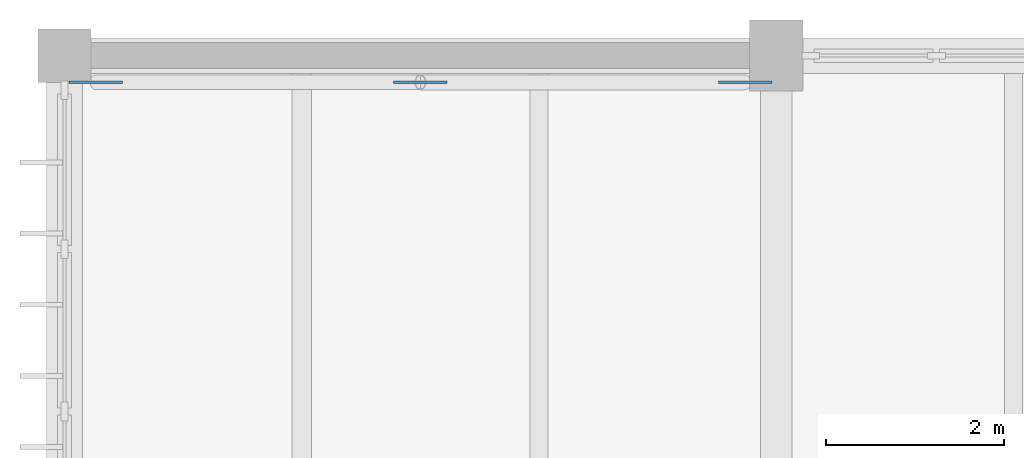
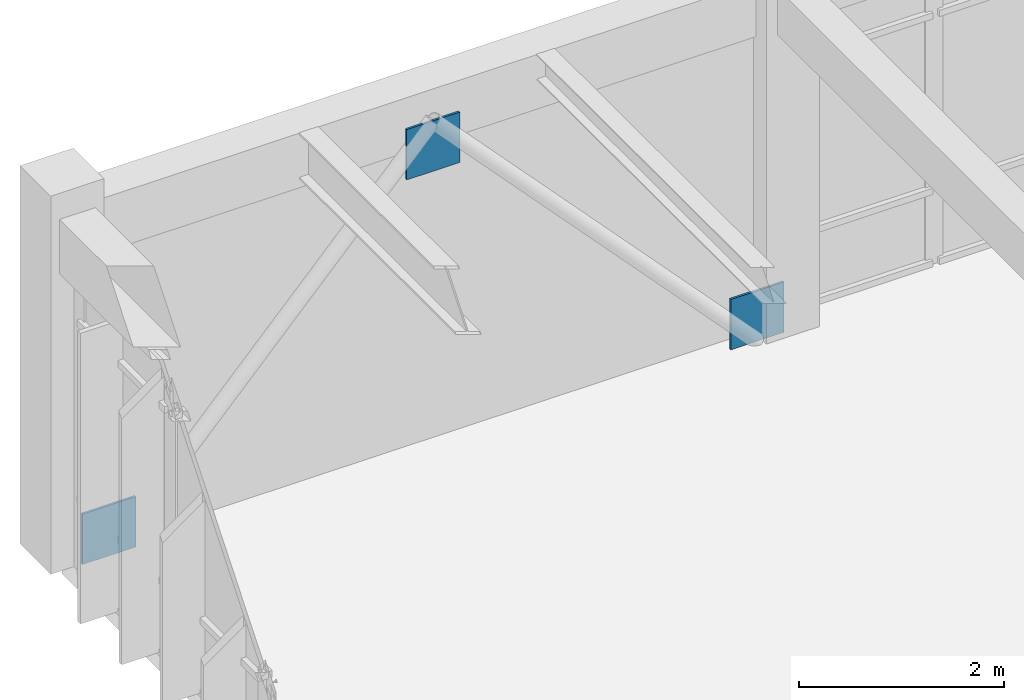
# One storey, part 46 of 72: 3 plates.
"""IFC4 building model written with IfcOpenShell, lengths in metres."""

from ifc_helpers import new_model, si_unit, direction, frame, origin, origin_2d, place, context, subcontext, project, spatial, rectangle, extrude, material, layer, layer_set, type_object, element, save


model = new_model("IFC4")

# Units and contexts
model_context = context("Model", 3, precision=1e-05, world=origin(), true_north=direction((0.0, 1.0)))
body_context = subcontext(model_context, "Body", "Model", "MODEL_VIEW")
ifc_project = project(units=[si_unit("LENGTHUNIT", "METRE"), si_unit("AREAUNIT", "SQUARE_METRE"), si_unit("VOLUMEUNIT", "CUBIC_METRE"), si_unit("PLANEANGLEUNIT", "RADIAN"), si_unit("MASSUNIT", "GRAM", prefix="KILO")], contexts=[model_context])

# Site, building, storey
site_placement = place(None, origin())
site = spatial("IfcSite", under=ifc_project, at=site_placement, CompositionType="ELEMENT")
building_placement = place(site_placement, origin())
building = spatial("IfcBuilding", under=site, at=building_placement, Name="Tlaxcora Railside Police Headquarters", CompositionType="ELEMENT")
storey_placement = place(building_placement, frame((0.0, 0.0, 13.5)))
storey = spatial("IfcBuildingStorey", under=building, at=storey_placement, Name="L03", CompositionType="ELEMENT", Elevation=13.5)

# Plates
ifc_material = material(Name="Steel ASTM A992 Grade 50", Category="steel")
ifc_layer = layer(ifc_material, 0.02490234375, Name="Steel ASTM A992 Grade 50")
ifc_layer_set = layer_set([ifc_layer], Name="Steel ASTM A992 Grade 50")
plate_type = type_object("IfcPlateType", Name="Structural Gusset or Cap Plate GP-22", PredefinedType="USERDEFINED", material=ifc_layer_set)
for number, where, z_axis, x_axis, name in (
    (1, (5.550048828125, 92.5, 0.0), (0.0, 0.0, 1.0), (1.0, 0.0, 0.0), "Chevron brace 3 gusset plate L"),
    (2, (12.85009765625, 92.5, 0.0), (0.0, 0.0, 1.0), (1.0, 0.0, 0.0), "Chevron brace 3 gusset plate R"),
    (3, (9.199951171875, 92.5, 3.300048828125), (0.0, 0.0, 1.0), (1.0, 0.0, 0.0), "Chevron brace 3 gusset plate APEX"),
):
    element("IfcPlate", number, at=place(storey_placement, frame(where, z_axis=z_axis, x_axis=x_axis)), inside=storey, type_object=plate_type, Name=name, ObjectType="GUSSET PLATE", PredefinedType="USERDEFINED", context=body_context, shape_type="SweptSolid", body=[
        extrude(rectangle(XDim=0.60009765625, YDim=0.02490234375, at=origin_2d()), origin(), (0.0, 0.0, 1.0), 0.60009765625),
    ])

save(model, "model.ifc")
